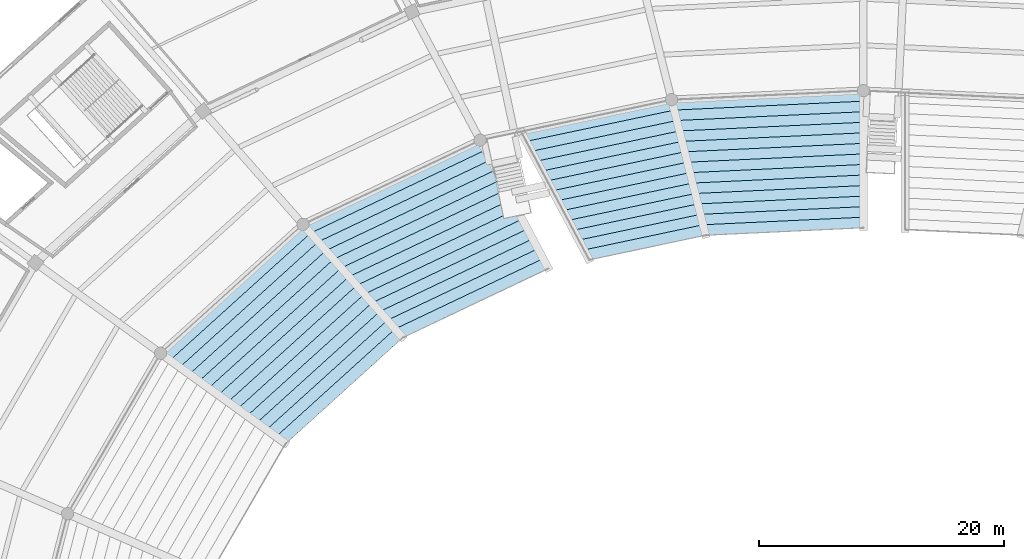
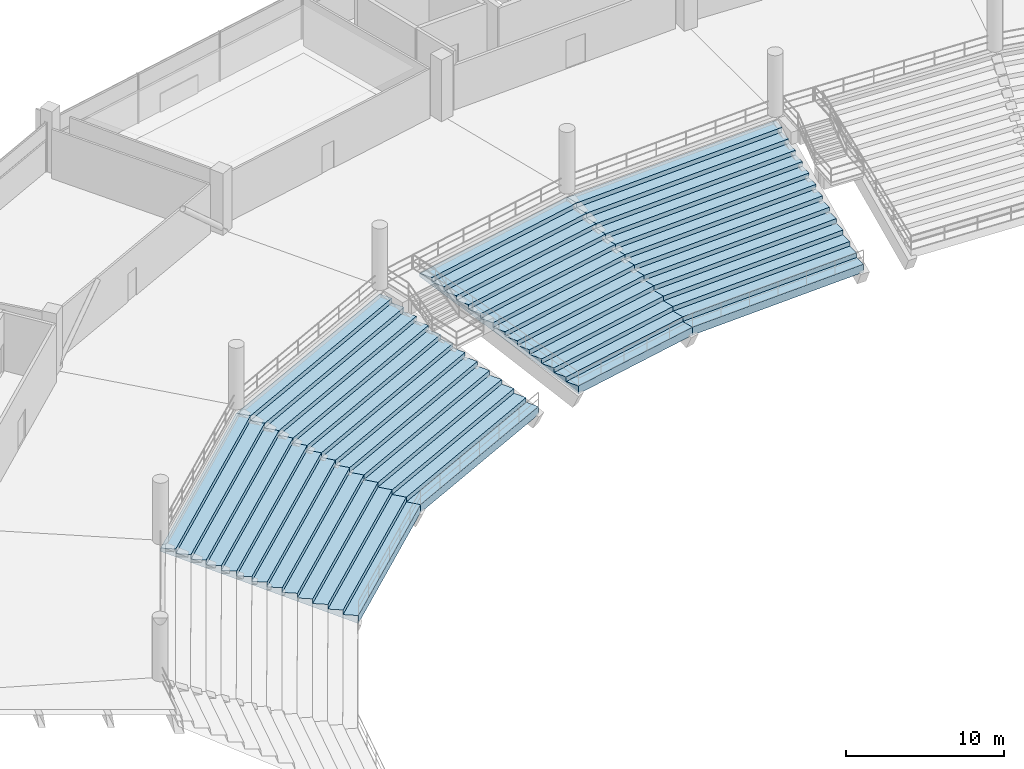
# One storey, part 114 of 156: 4 slabs.
"""IFC4 building model written with IfcOpenShell, lengths in metres."""

from ifc_helpers import new_model, si_unit, direction, frame, origin, place, context, subcontext, project, spatial, polygons, material, layer, layer_set, type_object, element, save


model = new_model("IFC4")

# Units and contexts
model_context = context("Model", 3, precision=1e-05, world=origin(), true_north=direction((0.0, 1.0)))
body_context = subcontext(model_context, "Body", "Model", "MODEL_VIEW")
ifc_project = project(units=[si_unit("LENGTHUNIT", "METRE"), si_unit("AREAUNIT", "SQUARE_METRE"), si_unit("VOLUMEUNIT", "CUBIC_METRE"), si_unit("PLANEANGLEUNIT", "RADIAN"), si_unit("MASSUNIT", "GRAM", prefix="KILO")], contexts=[model_context])

# Site, building, storey
site_placement = place(None, origin())
site = spatial("IfcSite", under=ifc_project, at=site_placement, CompositionType="ELEMENT")
building_placement = place(site_placement, origin())
building = spatial("IfcBuilding", under=site, at=building_placement, Name="Kazemori Nagisa Stadium", CompositionType="ELEMENT")
storey_placement = place(building_placement, frame((0.0, 0.0, 5.780029296875)))
storey = spatial("IfcBuildingStorey", under=building, at=storey_placement, Name="L01", CompositionType="ELEMENT", Elevation=5.780029296875)

# Slabs
ifc_material = material(Name="Concrete C36/45 (Fc36)", Category="concrete")
ifc_layer_1 = layer(ifc_material, 4.93994140625, Name="Concrete C36/45 (Fc36)", Category="concrete")
ifc_layer_set_1 = layer_set([ifc_layer_1], Name="Concrete C36/45 (Fc36)")
slab_type_1 = type_object("IfcSlabType", Name="SeatingTier_ST-LOW-13", PredefinedType="USERDEFINED", material=ifc_layer_set_1)
slab_1_placement = place(storey_placement, frame((0.0, 0.0, -5.780029296875)))
element("IfcSlab", 1, at=slab_1_placement, inside=storey, type_object=slab_type_1, Name="Stand lower tier bay 08", ObjectType="SEATING TIER", PredefinedType="USERDEFINED", context=body_context, shape_type="Tessellation", body=[
    polygons([(110.143310546875, 152.9921875, 0.239990234375), (110.143310546875, 152.9921875, 0.860107421875), (109.928955078125, 153.842041015625, 0.860107421875), (109.928955078125, 153.842041015625, 1.22021484375), (109.71484375, 154.69189453125, 1.22021484375), (109.71484375, 154.69189453125, 1.580322265625), (109.50048828125, 155.541748046875, 1.580322265625), (109.50048828125, 155.541748046875, 1.9404296875), (109.286376953125, 156.3916015625, 1.9404296875), (109.286376953125, 156.3916015625, 2.300537109375), (109.072021484375, 157.241455078125, 2.300537109375), (109.072021484375, 157.241455078125, 2.66064453125), (108.857666015625, 158.09130859375, 2.66064453125), (108.857666015625, 158.09130859375, 3.020751953125), (108.6435546875, 158.941162109375, 3.020751953125), (108.6435546875, 158.941162109375, 3.380859375), (108.42919921875, 159.791015625, 3.380859375), (108.42919921875, 159.791015625, 3.740966796875), (108.21484375, 160.640869140625, 3.740966796875), (108.21484375, 160.640869140625, 4.10107421875), (108.000732421875, 161.49072265625, 4.10107421875), (108.000732421875, 161.49072265625, 4.461181640625), (107.786376953125, 162.340576171875, 4.461181640625), (107.786376953125, 162.340576171875, 4.8212890625), (107.572265625, 163.1904296875, 4.8212890625), (107.572265625, 163.1904296875, 5.181396484375), (107.35791015625, 164.040283203125, 5.181396484375), (107.35791015625, 164.040283203125, 4.92138671875), (107.572265625, 163.1904296875, 4.561279296875), (107.786376953125, 162.340576171875, 4.201171875), (108.000732421875, 161.49072265625, 3.841064453125), (108.21484375, 160.640869140625, 3.48095703125), (108.42919921875, 159.791015625, 3.120849609375), (108.6435546875, 158.941162109375, 2.7607421875), (108.857666015625, 158.09130859375, 2.400634765625), (109.072021484375, 157.241455078125, 2.04052734375), (109.286376953125, 156.3916015625, 1.680419921875), (109.50048828125, 155.541748046875, 1.3203125), (109.71484375, 154.69189453125, 0.960205078125), (109.928955078125, 153.842041015625, 0.60009765625), (123.0, 153.60009765625, 0.239990234375), (123.0, 153.60009765625, 0.860107421875), (123.0, 154.460205078125, 0.860107421875), (123.0, 154.460205078125, 1.22021484375), (123.0, 155.320068359375, 1.22021484375), (123.0, 155.320068359375, 1.580322265625), (123.0, 156.18017578125, 1.580322265625), (123.0, 156.18017578125, 1.9404296875), (123.0, 157.0400390625, 1.9404296875), (123.0, 157.0400390625, 2.300537109375), (123.0, 157.900146484375, 2.300537109375), (123.0, 157.900146484375, 2.66064453125), (123.0, 158.760009765625, 2.66064453125), (123.0, 158.760009765625, 3.020751953125), (123.0, 159.6201171875, 3.020751953125), (123.0, 159.6201171875, 3.380859375), (123.0, 160.47998046875, 3.380859375), (123.0, 160.47998046875, 3.740966796875), (123.0, 161.340087890625, 3.740966796875), (123.0, 161.340087890625, 4.10107421875), (123.0, 162.199951171875, 4.10107421875), (123.0, 162.199951171875, 4.461181640625), (123.0, 163.06005859375, 4.461181640625), (123.0, 163.06005859375, 4.8212890625), (123.0, 163.919921875, 4.8212890625), (123.0, 163.919921875, 5.181396484375), (123.0, 164.780029296875, 5.181396484375), (123.0, 164.780029296875, 4.92138671875), (123.0, 163.919921875, 4.561279296875), (123.0, 163.06005859375, 4.201171875), (123.0, 162.199951171875, 3.841064453125), (123.0, 161.340087890625, 3.48095703125), (123.0, 160.47998046875, 3.120849609375), (123.0, 159.6201171875, 2.7607421875), (123.0, 158.760009765625, 2.400634765625), (123.0, 157.900146484375, 2.04052734375), (123.0, 157.0400390625, 1.680419921875), (123.0, 156.18017578125, 1.3203125), (123.0, 155.320068359375, 0.960205078125), (123.0, 154.460205078125, 0.60009765625)], [[[1, 41, 42]], [[1, 42, 2]], [[2, 42, 43]], [[2, 43, 3]], [[3, 43, 44]], [[3, 44, 4]], [[4, 44, 45]], [[4, 45, 5]], [[5, 45, 46]], [[5, 46, 6]], [[6, 46, 47]], [[6, 47, 7]], [[7, 47, 48]], [[7, 48, 8]], [[8, 48, 49]], [[8, 49, 9]], [[9, 49, 50]], [[9, 50, 10]], [[10, 50, 51]], [[10, 51, 11]], [[11, 51, 52]], [[11, 52, 12]], [[12, 52, 53]], [[12, 53, 13]], [[13, 53, 54]], [[13, 54, 14]], [[14, 54, 55]], [[14, 55, 15]], [[15, 55, 56]], [[15, 56, 16]], [[16, 56, 57]], [[16, 57, 17]], [[17, 57, 58]], [[17, 58, 18]], [[18, 58, 59]], [[18, 59, 19]], [[19, 59, 60]], [[19, 60, 20]], [[20, 60, 61]], [[20, 61, 21]], [[21, 61, 62]], [[21, 62, 22]], [[22, 62, 63]], [[22, 63, 23]], [[23, 63, 64]], [[23, 64, 24]], [[24, 64, 65]], [[24, 65, 25]], [[25, 65, 66]], [[25, 66, 26]], [[26, 66, 67]], [[26, 67, 27]], [[27, 67, 68]], [[27, 68, 28]], [[28, 68, 29]], [[29, 68, 69]], [[29, 69, 30]], [[30, 69, 70]], [[30, 70, 31]], [[31, 70, 71]], [[31, 71, 32]], [[32, 71, 72]], [[32, 72, 33]], [[33, 72, 73]], [[33, 73, 34]], [[34, 73, 74]], [[34, 74, 35]], [[35, 74, 75]], [[35, 75, 36]], [[36, 75, 76]], [[36, 76, 37]], [[37, 76, 77]], [[37, 77, 38]], [[38, 77, 78]], [[38, 78, 39]], [[39, 78, 79]], [[39, 79, 40]], [[40, 79, 80]], [[40, 80, 1]], [[1, 80, 41]], [[1, 2, 3]], [[43, 42, 41]], [[1, 3, 40]], [[80, 43, 41]], [[40, 3, 39]], [[79, 43, 80]], [[39, 3, 5]], [[45, 43, 79]], [[3, 4, 5]], [[45, 44, 43]], [[39, 5, 38]], [[78, 45, 79]], [[38, 5, 7]], [[47, 45, 78]], [[5, 6, 7]], [[47, 46, 45]], [[38, 7, 37]], [[77, 47, 78]], [[37, 7, 9]], [[49, 47, 77]], [[7, 8, 9]], [[49, 48, 47]], [[37, 9, 36]], [[76, 49, 77]], [[36, 9, 11]], [[51, 49, 76]], [[9, 10, 11]], [[51, 50, 49]], [[36, 11, 35]], [[75, 51, 76]], [[35, 11, 13]], [[53, 51, 75]], [[11, 12, 13]], [[53, 52, 51]], [[35, 13, 34]], [[74, 53, 75]], [[34, 13, 15]], [[55, 53, 74]], [[13, 14, 15]], [[55, 54, 53]], [[34, 15, 33]], [[73, 55, 74]], [[33, 15, 17]], [[57, 55, 73]], [[15, 16, 17]], [[57, 56, 55]], [[33, 17, 32]], [[72, 57, 73]], [[32, 17, 19]], [[59, 57, 72]], [[17, 18, 19]], [[59, 58, 57]], [[32, 19, 31]], [[71, 59, 72]], [[31, 19, 21]], [[61, 59, 71]], [[19, 20, 21]], [[61, 60, 59]], [[31, 21, 30]], [[70, 61, 71]], [[30, 21, 23]], [[63, 61, 70]], [[21, 22, 23]], [[63, 62, 61]], [[30, 23, 29]], [[69, 63, 70]], [[29, 23, 25]], [[65, 63, 69]], [[23, 24, 25]], [[65, 64, 63]], [[29, 25, 28]], [[68, 65, 69]], [[28, 25, 27]], [[67, 65, 68]], [[25, 26, 27]], [[67, 66, 65]]], closed=True),
])
slab_2_placement = place(storey_placement, frame((0.0, 0.0, -5.780029296875)))
element("IfcSlab", 2, at=slab_2_placement, inside=storey, type_object=slab_type_1, Name="Stand lower tier bay 10", ObjectType="SEATING TIER", PredefinedType="USERDEFINED", context=body_context, shape_type="Tessellation", body=[
    polygons([(85.441162109375, 144.635498046875, 0.239990234375), (85.441162109375, 144.635498046875, 0.860107421875), (84.815185546875, 145.34619140625, 0.860107421875), (84.815185546875, 145.34619140625, 1.22021484375), (84.189208984375, 146.056640625, 1.22021484375), (84.189208984375, 146.056640625, 1.580322265625), (83.563232421875, 146.767333984375, 1.580322265625), (83.563232421875, 146.767333984375, 1.9404296875), (82.937255859375, 147.477783203125, 1.9404296875), (82.937255859375, 147.477783203125, 2.300537109375), (82.311279296875, 148.1884765625, 2.300537109375), (82.311279296875, 148.1884765625, 2.66064453125), (81.685302734375, 148.89892578125, 2.66064453125), (81.685302734375, 148.89892578125, 3.020751953125), (81.059326171875, 149.609619140625, 3.020751953125), (81.059326171875, 149.609619140625, 3.380859375), (80.433349609375, 150.320068359375, 3.380859375), (80.433349609375, 150.320068359375, 3.740966796875), (79.807373046875, 151.03076171875, 3.740966796875), (79.807373046875, 151.03076171875, 4.10107421875), (79.181396484375, 151.7412109375, 4.10107421875), (79.181396484375, 151.7412109375, 4.461181640625), (78.555419921875, 152.451904296875, 4.461181640625), (78.555419921875, 152.451904296875, 4.8212890625), (77.929443359375, 153.162353515625, 4.8212890625), (77.929443359375, 153.162353515625, 5.181396484375), (77.303466796875, 153.873046875, 5.181396484375), (77.303466796875, 153.873046875, 4.92138671875), (77.929443359375, 153.162353515625, 4.561279296875), (78.555419921875, 152.451904296875, 4.201171875), (79.181396484375, 151.7412109375, 3.841064453125), (79.807373046875, 151.03076171875, 3.48095703125), (80.433349609375, 150.320068359375, 3.120849609375), (81.059326171875, 149.609619140625, 2.7607421875), (81.685302734375, 148.89892578125, 2.400634765625), (82.311279296875, 148.1884765625, 2.04052734375), (82.937255859375, 147.477783203125, 1.680419921875), (83.563232421875, 146.767333984375, 1.3203125), (84.189208984375, 146.056640625, 0.960205078125), (84.815185546875, 145.34619140625, 0.60009765625), (97.317138671875, 150.278564453125, 0.239990234375), (97.317138671875, 150.278564453125, 0.860107421875), (96.88916015625, 151.083251953125, 0.860107421875), (96.88916015625, 151.083251953125, 1.22021484375), (96.4609375, 151.887939453125, 1.22021484375), (96.4609375, 151.887939453125, 1.580322265625), (96.032958984375, 152.692626953125, 1.580322265625), (96.032958984375, 152.692626953125, 1.9404296875), (95.60498046875, 153.4970703125, 1.9404296875), (95.60498046875, 153.4970703125, 2.300537109375), (95.1767578125, 154.3017578125, 2.300537109375), (95.1767578125, 154.3017578125, 2.66064453125), (94.748779296875, 155.1064453125, 2.66064453125), (94.748779296875, 155.1064453125, 3.020751953125), (94.32080078125, 155.9111328125, 3.020751953125), (94.32080078125, 155.9111328125, 3.380859375), (93.892822265625, 156.7158203125, 3.380859375), (93.892822265625, 156.7158203125, 3.740966796875), (93.464599609375, 157.5205078125, 3.740966796875), (93.464599609375, 157.5205078125, 4.10107421875), (93.03662109375, 158.324951171875, 4.10107421875), (93.03662109375, 158.324951171875, 4.461181640625), (92.608642578125, 159.129638671875, 4.461181640625), (92.608642578125, 159.129638671875, 4.8212890625), (92.180419921875, 159.934326171875, 4.8212890625), (92.180419921875, 159.934326171875, 5.181396484375), (91.75244140625, 160.739013671875, 5.181396484375), (91.75244140625, 160.739013671875, 4.92138671875), (92.180419921875, 159.934326171875, 4.561279296875), (92.608642578125, 159.129638671875, 4.201171875), (93.03662109375, 158.324951171875, 3.841064453125), (93.464599609375, 157.5205078125, 3.48095703125), (93.892822265625, 156.7158203125, 3.120849609375), (94.32080078125, 155.9111328125, 2.7607421875), (94.748779296875, 155.1064453125, 2.400634765625), (95.1767578125, 154.3017578125, 2.04052734375), (95.60498046875, 153.4970703125, 1.680419921875), (96.032958984375, 152.692626953125, 1.3203125), (96.4609375, 151.887939453125, 0.960205078125), (96.88916015625, 151.083251953125, 0.60009765625)], [[[1, 41, 42]], [[1, 42, 2]], [[2, 42, 43]], [[2, 43, 3]], [[3, 43, 44]], [[3, 44, 4]], [[4, 44, 45]], [[4, 45, 5]], [[5, 45, 46]], [[5, 46, 6]], [[6, 46, 47]], [[6, 47, 7]], [[7, 47, 48]], [[7, 48, 8]], [[8, 48, 49]], [[8, 49, 9]], [[9, 49, 50]], [[9, 50, 10]], [[10, 50, 51]], [[10, 51, 11]], [[11, 51, 52]], [[11, 52, 12]], [[12, 52, 53]], [[12, 53, 13]], [[13, 53, 54]], [[13, 54, 14]], [[14, 54, 55]], [[14, 55, 15]], [[15, 55, 56]], [[15, 56, 16]], [[16, 56, 57]], [[16, 57, 17]], [[17, 57, 58]], [[17, 58, 18]], [[18, 58, 59]], [[18, 59, 19]], [[19, 59, 60]], [[19, 60, 20]], [[20, 60, 61]], [[20, 61, 21]], [[21, 61, 62]], [[21, 62, 22]], [[22, 62, 63]], [[22, 63, 23]], [[23, 63, 64]], [[23, 64, 24]], [[24, 64, 65]], [[24, 65, 25]], [[25, 65, 66]], [[25, 66, 26]], [[26, 66, 67]], [[26, 67, 27]], [[27, 67, 68]], [[27, 68, 28]], [[28, 68, 29]], [[29, 68, 69]], [[29, 69, 30]], [[30, 69, 70]], [[30, 70, 31]], [[31, 70, 71]], [[31, 71, 32]], [[32, 71, 72]], [[32, 72, 33]], [[33, 72, 73]], [[33, 73, 34]], [[34, 73, 74]], [[34, 74, 35]], [[35, 74, 75]], [[35, 75, 36]], [[36, 75, 76]], [[36, 76, 37]], [[37, 76, 77]], [[37, 77, 38]], [[38, 77, 78]], [[38, 78, 39]], [[39, 78, 79]], [[39, 79, 40]], [[40, 79, 80]], [[40, 80, 1]], [[1, 80, 41]], [[1, 2, 3]], [[43, 42, 41]], [[1, 3, 40]], [[80, 43, 41]], [[40, 3, 39]], [[79, 43, 80]], [[39, 3, 5]], [[45, 43, 79]], [[3, 4, 5]], [[45, 44, 43]], [[39, 5, 38]], [[78, 45, 79]], [[38, 5, 7]], [[47, 45, 78]], [[5, 6, 7]], [[47, 46, 45]], [[38, 7, 37]], [[77, 47, 78]], [[37, 7, 9]], [[49, 47, 77]], [[7, 8, 9]], [[49, 48, 47]], [[37, 9, 36]], [[76, 49, 77]], [[36, 9, 11]], [[51, 49, 76]], [[9, 10, 11]], [[51, 50, 49]], [[36, 11, 35]], [[75, 51, 76]], [[35, 11, 13]], [[53, 51, 75]], [[11, 12, 13]], [[53, 52, 51]], [[35, 13, 34]], [[74, 53, 75]], [[34, 13, 15]], [[55, 53, 74]], [[13, 14, 15]], [[55, 54, 53]], [[34, 15, 33]], [[73, 55, 74]], [[33, 15, 17]], [[57, 55, 73]], [[15, 16, 17]], [[57, 56, 55]], [[33, 17, 32]], [[72, 57, 73]], [[32, 17, 19]], [[59, 57, 72]], [[17, 18, 19]], [[59, 58, 57]], [[32, 19, 31]], [[71, 59, 72]], [[31, 19, 21]], [[61, 59, 71]], [[19, 20, 21]], [[61, 60, 59]], [[31, 21, 30]], [[70, 61, 71]], [[30, 21, 23]], [[63, 61, 70]], [[21, 22, 23]], [[63, 62, 61]], [[30, 23, 29]], [[69, 63, 70]], [[29, 23, 25]], [[65, 63, 69]], [[23, 24, 25]], [[65, 64, 63]], [[29, 25, 28]], [[68, 65, 69]], [[28, 25, 27]], [[67, 65, 68]], [[25, 26, 27]], [[67, 66, 65]]], closed=True),
])
slab_3_placement = place(storey_placement, frame((0.0, 0.0, -5.780029296875)))
element("IfcSlab", 3, at=slab_3_placement, inside=storey, type_object=slab_type_1, Name="Stand lower tier bay 11", ObjectType="SEATING TIER", PredefinedType="USERDEFINED", context=body_context, shape_type="Tessellation", body=[
    polygons([(75.90283203125, 136.00048828125, 0.239990234375), (75.90283203125, 136.00048828125, 0.860107421875), (75.117919921875, 136.567138671875, 0.860107421875), (75.117919921875, 136.567138671875, 1.22021484375), (74.3330078125, 137.1337890625, 1.22021484375), (74.3330078125, 137.1337890625, 1.580322265625), (73.548095703125, 137.700439453125, 1.580322265625), (73.548095703125, 137.700439453125, 1.9404296875), (72.762939453125, 138.267333984375, 1.9404296875), (72.762939453125, 138.267333984375, 2.300537109375), (71.97802734375, 138.833984375, 2.300537109375), (71.97802734375, 138.833984375, 2.66064453125), (71.193115234375, 139.400634765625, 2.66064453125), (71.193115234375, 139.400634765625, 3.020751953125), (70.408203125, 139.96728515625, 3.020751953125), (70.408203125, 139.96728515625, 3.380859375), (69.623291015625, 140.533935546875, 3.380859375), (69.623291015625, 140.533935546875, 3.740966796875), (68.83837890625, 141.1005859375, 3.740966796875), (68.83837890625, 141.1005859375, 4.10107421875), (68.05322265625, 141.66748046875, 4.10107421875), (68.05322265625, 141.66748046875, 4.461181640625), (67.268310546875, 142.234130859375, 4.461181640625), (67.268310546875, 142.234130859375, 4.8212890625), (66.4833984375, 142.80078125, 4.8212890625), (66.4833984375, 142.80078125, 5.181396484375), (65.698486328125, 143.367431640625, 5.181396484375), (65.698486328125, 143.367431640625, 4.92138671875), (66.4833984375, 142.80078125, 4.561279296875), (67.268310546875, 142.234130859375, 4.201171875), (68.05322265625, 141.66748046875, 3.841064453125), (68.83837890625, 141.1005859375, 3.48095703125), (69.623291015625, 140.533935546875, 3.120849609375), (70.408203125, 139.96728515625, 2.7607421875), (71.193115234375, 139.400634765625, 2.400634765625), (71.97802734375, 138.833984375, 2.04052734375), (72.762939453125, 138.267333984375, 1.680419921875), (73.548095703125, 137.700439453125, 1.3203125), (74.3330078125, 137.1337890625, 0.960205078125), (75.117919921875, 136.567138671875, 0.60009765625), (85.441162109375, 144.635498046875, 0.239990234375), (85.441162109375, 144.635498046875, 0.860107421875), (84.815185546875, 145.34619140625, 0.860107421875), (84.815185546875, 145.34619140625, 1.22021484375), (84.189208984375, 146.056640625, 1.22021484375), (84.189208984375, 146.056640625, 1.580322265625), (83.563232421875, 146.767333984375, 1.580322265625), (83.563232421875, 146.767333984375, 1.9404296875), (82.937255859375, 147.477783203125, 1.9404296875), (82.937255859375, 147.477783203125, 2.300537109375), (82.311279296875, 148.1884765625, 2.300537109375), (82.311279296875, 148.1884765625, 2.66064453125), (81.685302734375, 148.89892578125, 2.66064453125), (81.685302734375, 148.89892578125, 3.020751953125), (81.059326171875, 149.609619140625, 3.020751953125), (81.059326171875, 149.609619140625, 3.380859375), (80.433349609375, 150.320068359375, 3.380859375), (80.433349609375, 150.320068359375, 3.740966796875), (79.807373046875, 151.03076171875, 3.740966796875), (79.807373046875, 151.03076171875, 4.10107421875), (79.181396484375, 151.7412109375, 4.10107421875), (79.181396484375, 151.7412109375, 4.461181640625), (78.555419921875, 152.451904296875, 4.461181640625), (78.555419921875, 152.451904296875, 4.8212890625), (77.929443359375, 153.162353515625, 4.8212890625), (77.929443359375, 153.162353515625, 5.181396484375), (77.303466796875, 153.873046875, 5.181396484375), (77.303466796875, 153.873046875, 4.92138671875), (77.929443359375, 153.162353515625, 4.561279296875), (78.555419921875, 152.451904296875, 4.201171875), (79.181396484375, 151.7412109375, 3.841064453125), (79.807373046875, 151.03076171875, 3.48095703125), (80.433349609375, 150.320068359375, 3.120849609375), (81.059326171875, 149.609619140625, 2.7607421875), (81.685302734375, 148.89892578125, 2.400634765625), (82.311279296875, 148.1884765625, 2.04052734375), (82.937255859375, 147.477783203125, 1.680419921875), (83.563232421875, 146.767333984375, 1.3203125), (84.189208984375, 146.056640625, 0.960205078125), (84.815185546875, 145.34619140625, 0.60009765625)], [[[1, 41, 42]], [[1, 42, 2]], [[2, 42, 43]], [[2, 43, 3]], [[3, 43, 44]], [[3, 44, 4]], [[4, 44, 45]], [[4, 45, 5]], [[5, 45, 46]], [[5, 46, 6]], [[6, 46, 47]], [[6, 47, 7]], [[7, 47, 48]], [[7, 48, 8]], [[8, 48, 49]], [[8, 49, 9]], [[9, 49, 50]], [[9, 50, 10]], [[10, 50, 51]], [[10, 51, 11]], [[11, 51, 52]], [[11, 52, 12]], [[12, 52, 53]], [[12, 53, 13]], [[13, 53, 54]], [[13, 54, 14]], [[14, 54, 55]], [[14, 55, 15]], [[15, 55, 56]], [[15, 56, 16]], [[16, 56, 57]], [[16, 57, 17]], [[17, 57, 58]], [[17, 58, 18]], [[18, 58, 59]], [[18, 59, 19]], [[19, 59, 60]], [[19, 60, 20]], [[20, 60, 61]], [[20, 61, 21]], [[21, 61, 62]], [[21, 62, 22]], [[22, 62, 63]], [[22, 63, 23]], [[23, 63, 64]], [[23, 64, 24]], [[24, 64, 65]], [[24, 65, 25]], [[25, 65, 66]], [[25, 66, 26]], [[26, 66, 67]], [[26, 67, 27]], [[27, 67, 68]], [[27, 68, 28]], [[28, 68, 29]], [[29, 68, 69]], [[29, 69, 30]], [[30, 69, 70]], [[30, 70, 31]], [[31, 70, 71]], [[31, 71, 32]], [[32, 71, 72]], [[32, 72, 33]], [[33, 72, 73]], [[33, 73, 34]], [[34, 73, 74]], [[34, 74, 35]], [[35, 74, 75]], [[35, 75, 36]], [[36, 75, 76]], [[36, 76, 37]], [[37, 76, 77]], [[37, 77, 38]], [[38, 77, 78]], [[38, 78, 39]], [[39, 78, 79]], [[39, 79, 40]], [[40, 79, 80]], [[40, 80, 1]], [[1, 80, 41]], [[1, 2, 3]], [[43, 42, 41]], [[1, 3, 40]], [[80, 43, 41]], [[40, 3, 39]], [[79, 43, 80]], [[39, 3, 5]], [[45, 43, 79]], [[3, 4, 5]], [[45, 44, 43]], [[39, 5, 38]], [[78, 45, 79]], [[38, 5, 7]], [[47, 45, 78]], [[5, 6, 7]], [[47, 46, 45]], [[38, 7, 37]], [[77, 47, 78]], [[37, 7, 9]], [[49, 47, 77]], [[7, 8, 9]], [[49, 48, 47]], [[37, 9, 36]], [[76, 49, 77]], [[36, 9, 11]], [[51, 49, 76]], [[9, 10, 11]], [[51, 50, 49]], [[36, 11, 35]], [[75, 51, 76]], [[35, 11, 13]], [[53, 51, 75]], [[11, 12, 13]], [[53, 52, 51]], [[35, 13, 34]], [[74, 53, 75]], [[34, 13, 15]], [[55, 53, 74]], [[13, 14, 15]], [[55, 54, 53]], [[34, 15, 33]], [[73, 55, 74]], [[33, 15, 17]], [[57, 55, 73]], [[15, 16, 17]], [[57, 56, 55]], [[33, 17, 32]], [[72, 57, 73]], [[32, 17, 19]], [[59, 57, 72]], [[17, 18, 19]], [[59, 58, 57]], [[32, 19, 31]], [[71, 59, 72]], [[31, 19, 21]], [[61, 59, 71]], [[19, 20, 21]], [[61, 60, 59]], [[31, 21, 30]], [[70, 61, 71]], [[30, 21, 23]], [[63, 61, 70]], [[21, 22, 23]], [[63, 62, 61]], [[30, 23, 29]], [[69, 63, 70]], [[29, 23, 25]], [[65, 63, 69]], [[23, 24, 25]], [[65, 64, 63]], [[29, 25, 28]], [[68, 65, 69]], [[28, 25, 27]], [[67, 65, 68]], [[25, 26, 27]], [[67, 66, 65]]], closed=True),
])
ifc_layer_2 = layer(ifc_material, 4.93994140625, Name="Concrete C36/45 (Fc36)", Category="concrete")
ifc_layer_set_2 = layer_set([ifc_layer_2], Name="Concrete C36/45 (Fc36)")
slab_type_2 = type_object("IfcSlabType", Name="SeatingTier_ST-LOW-13V", PredefinedType="USERDEFINED", material=ifc_layer_set_2)
slab_4_placement = place(storey_placement, frame((0.0, 0.0, -5.780029296875)))
element("IfcSlab", 4, at=slab_4_placement, inside=storey, type_object=slab_type_2, Name="Stand lower tier bay 09", ObjectType="SEATING TIER", PredefinedType="USERDEFINED", context=body_context, shape_type="Tessellation", body=[
    polygons([(100.6435546875, 150.982177734375, 0.239990234375), (100.6435546875, 150.982177734375, 0.860107421875), (100.215576171875, 151.786865234375, 0.860107421875), (100.215576171875, 151.786865234375, 1.22021484375), (99.787353515625, 152.591552734375, 1.22021484375), (99.787353515625, 152.591552734375, 1.580322265625), (99.359375, 153.396240234375, 1.580322265625), (99.359375, 153.396240234375, 1.9404296875), (98.931396484375, 154.20068359375, 1.9404296875), (98.931396484375, 154.20068359375, 2.300537109375), (98.503173828125, 155.00537109375, 2.300537109375), (98.503173828125, 155.00537109375, 2.66064453125), (98.0751953125, 155.81005859375, 2.66064453125), (98.0751953125, 155.81005859375, 3.020751953125), (97.647216796875, 156.61474609375, 3.020751953125), (97.647216796875, 156.61474609375, 3.380859375), (97.21923828125, 157.41943359375, 3.380859375), (97.21923828125, 157.41943359375, 3.740966796875), (96.791015625, 158.22412109375, 3.740966796875), (96.791015625, 158.22412109375, 4.10107421875), (96.363037109375, 159.028564453125, 4.10107421875), (96.363037109375, 159.028564453125, 4.461181640625), (95.93505859375, 159.833251953125, 4.461181640625), (95.93505859375, 159.833251953125, 4.8212890625), (95.5068359375, 160.637939453125, 4.8212890625), (95.5068359375, 160.637939453125, 5.181396484375), (95.078857421875, 161.442626953125, 5.181396484375), (95.078857421875, 161.442626953125, 4.92138671875), (95.5068359375, 160.637939453125, 4.561279296875), (95.93505859375, 159.833251953125, 4.201171875), (96.363037109375, 159.028564453125, 3.841064453125), (96.791015625, 158.22412109375, 3.48095703125), (97.21923828125, 157.41943359375, 3.120849609375), (97.647216796875, 156.61474609375, 2.7607421875), (98.0751953125, 155.81005859375, 2.400634765625), (98.503173828125, 155.00537109375, 2.04052734375), (98.931396484375, 154.20068359375, 1.680419921875), (99.359375, 153.396240234375, 1.3203125), (99.787353515625, 152.591552734375, 0.960205078125), (100.215576171875, 151.786865234375, 0.60009765625), (110.143310546875, 152.9921875, 0.239990234375), (110.143310546875, 152.9921875, 0.860107421875), (109.928955078125, 153.842041015625, 0.860107421875), (109.928955078125, 153.842041015625, 1.22021484375), (109.71484375, 154.69189453125, 1.22021484375), (109.71484375, 154.69189453125, 1.580322265625), (109.50048828125, 155.541748046875, 1.580322265625), (109.50048828125, 155.541748046875, 1.9404296875), (109.286376953125, 156.3916015625, 1.9404296875), (109.286376953125, 156.3916015625, 2.300537109375), (109.072021484375, 157.241455078125, 2.300537109375), (109.072021484375, 157.241455078125, 2.66064453125), (108.857666015625, 158.09130859375, 2.66064453125), (108.857666015625, 158.09130859375, 3.020751953125), (108.6435546875, 158.941162109375, 3.020751953125), (108.6435546875, 158.941162109375, 3.380859375), (108.42919921875, 159.791015625, 3.380859375), (108.42919921875, 159.791015625, 3.740966796875), (108.21484375, 160.640869140625, 3.740966796875), (108.21484375, 160.640869140625, 4.10107421875), (108.000732421875, 161.49072265625, 4.10107421875), (108.000732421875, 161.49072265625, 4.461181640625), (107.786376953125, 162.340576171875, 4.461181640625), (107.786376953125, 162.340576171875, 4.8212890625), (107.572265625, 163.1904296875, 4.8212890625), (107.572265625, 163.1904296875, 5.181396484375), (107.35791015625, 164.040283203125, 5.181396484375), (107.35791015625, 164.040283203125, 4.92138671875), (107.572265625, 163.1904296875, 4.561279296875), (107.786376953125, 162.340576171875, 4.201171875), (108.000732421875, 161.49072265625, 3.841064453125), (108.21484375, 160.640869140625, 3.48095703125), (108.42919921875, 159.791015625, 3.120849609375), (108.6435546875, 158.941162109375, 2.7607421875), (108.857666015625, 158.09130859375, 2.400634765625), (109.072021484375, 157.241455078125, 2.04052734375), (109.286376953125, 156.3916015625, 1.680419921875), (109.50048828125, 155.541748046875, 1.3203125), (109.71484375, 154.69189453125, 0.960205078125), (109.928955078125, 153.842041015625, 0.60009765625)], [[[1, 41, 42]], [[1, 42, 2]], [[2, 42, 43]], [[2, 43, 3]], [[3, 43, 44]], [[3, 44, 4]], [[4, 44, 45]], [[4, 45, 5]], [[5, 45, 46]], [[5, 46, 6]], [[6, 46, 47]], [[6, 47, 7]], [[7, 47, 48]], [[7, 48, 8]], [[8, 48, 49]], [[8, 49, 9]], [[9, 49, 50]], [[9, 50, 10]], [[10, 50, 51]], [[10, 51, 11]], [[11, 51, 52]], [[11, 52, 12]], [[12, 52, 53]], [[12, 53, 13]], [[13, 53, 54]], [[13, 54, 14]], [[14, 54, 55]], [[14, 55, 15]], [[15, 55, 56]], [[15, 56, 16]], [[16, 56, 57]], [[16, 57, 17]], [[17, 57, 58]], [[17, 58, 18]], [[18, 58, 59]], [[18, 59, 19]], [[19, 59, 60]], [[19, 60, 20]], [[20, 60, 61]], [[20, 61, 21]], [[21, 61, 62]], [[21, 62, 22]], [[22, 62, 63]], [[22, 63, 23]], [[23, 63, 64]], [[23, 64, 24]], [[24, 64, 65]], [[24, 65, 25]], [[25, 65, 66]], [[25, 66, 26]], [[26, 66, 67]], [[26, 67, 27]], [[27, 67, 68]], [[27, 68, 28]], [[28, 68, 29]], [[29, 68, 69]], [[29, 69, 30]], [[30, 69, 70]], [[30, 70, 31]], [[31, 70, 71]], [[31, 71, 32]], [[32, 71, 72]], [[32, 72, 33]], [[33, 72, 73]], [[33, 73, 34]], [[34, 73, 74]], [[34, 74, 35]], [[35, 74, 75]], [[35, 75, 36]], [[36, 75, 76]], [[36, 76, 37]], [[37, 76, 77]], [[37, 77, 38]], [[38, 77, 78]], [[38, 78, 39]], [[39, 78, 79]], [[39, 79, 40]], [[40, 79, 80]], [[40, 80, 1]], [[1, 80, 41]], [[1, 2, 3]], [[43, 42, 41]], [[1, 3, 40]], [[80, 43, 41]], [[40, 3, 39]], [[79, 43, 80]], [[39, 3, 5]], [[45, 43, 79]], [[3, 4, 5]], [[45, 44, 43]], [[39, 5, 38]], [[78, 45, 79]], [[38, 5, 7]], [[47, 45, 78]], [[5, 6, 7]], [[47, 46, 45]], [[38, 7, 37]], [[77, 47, 78]], [[37, 7, 9]], [[49, 47, 77]], [[7, 8, 9]], [[49, 48, 47]], [[37, 9, 36]], [[76, 49, 77]], [[36, 9, 11]], [[51, 49, 76]], [[9, 10, 11]], [[51, 50, 49]], [[36, 11, 35]], [[75, 51, 76]], [[35, 11, 13]], [[53, 51, 75]], [[11, 12, 13]], [[53, 52, 51]], [[35, 13, 34]], [[74, 53, 75]], [[34, 13, 15]], [[55, 53, 74]], [[13, 14, 15]], [[55, 54, 53]], [[34, 15, 33]], [[73, 55, 74]], [[33, 15, 17]], [[57, 55, 73]], [[15, 16, 17]], [[57, 56, 55]], [[33, 17, 32]], [[72, 57, 73]], [[32, 17, 19]], [[59, 57, 72]], [[17, 18, 19]], [[59, 58, 57]], [[32, 19, 31]], [[71, 59, 72]], [[31, 19, 21]], [[61, 59, 71]], [[19, 20, 21]], [[61, 60, 59]], [[31, 21, 30]], [[70, 61, 71]], [[30, 21, 23]], [[63, 61, 70]], [[21, 22, 23]], [[63, 62, 61]], [[30, 23, 29]], [[69, 63, 70]], [[29, 23, 25]], [[65, 63, 69]], [[23, 24, 25]], [[65, 64, 63]], [[29, 25, 28]], [[68, 65, 69]], [[28, 25, 27]], [[67, 65, 68]], [[25, 26, 27]], [[67, 66, 65]]], closed=True),
])

save(model, "model.ifc")
